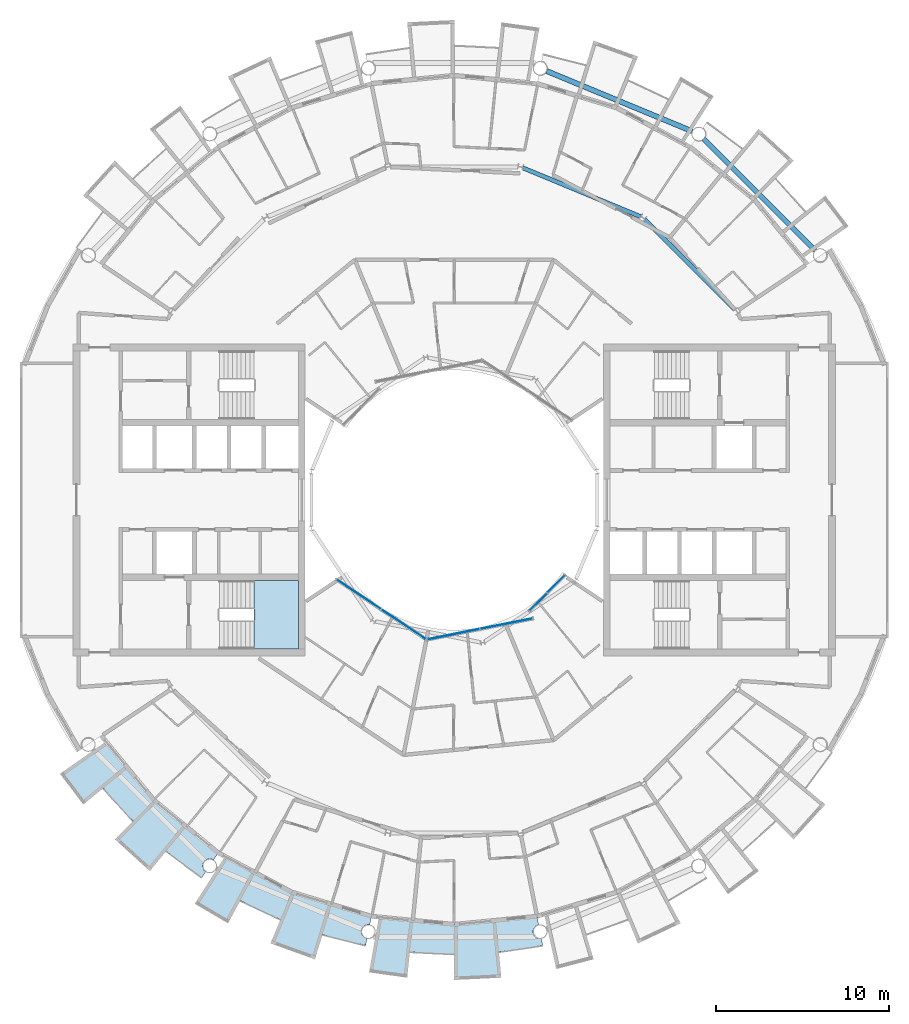
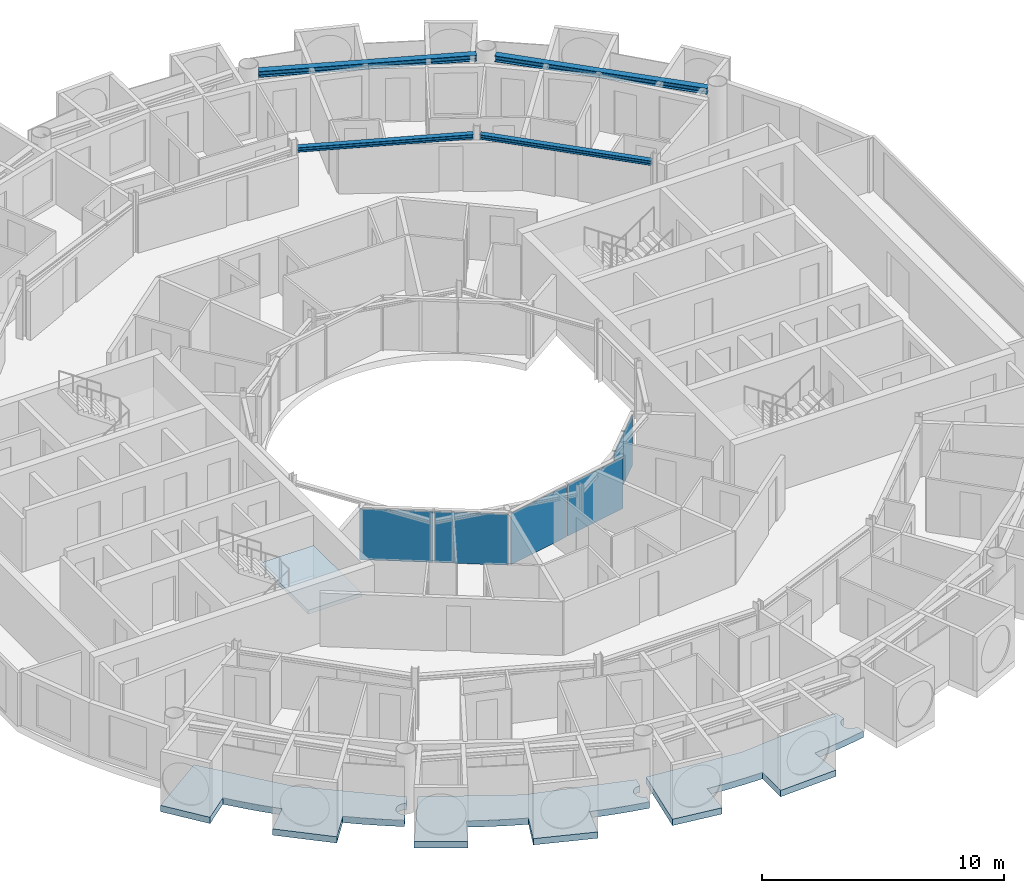
# One storey, part 10 of 27: 6 plates, 4 beams, 4 slabs, 4 elements without a shape of their own.
"""IFC4 building model written with IfcOpenShell, lengths in metres."""

from ifc_helpers import new_model, si_unit, direction, frame, origin, origin_2d, place, context, subcontext, project, spatial, polyline, rectangle, i_section, outline, extrude, material, layer, layer_set, material_profile, profile_set, type_object, element, aggregate, save


model = new_model("IFC4")

# Units and contexts
model_context = context("Model", 3, precision=1e-05, world=origin(), true_north=direction((0.0, 1.0)))
body_context = subcontext(model_context, "Body", "Model", "MODEL_VIEW")
ifc_project = project(units=[si_unit("LENGTHUNIT", "METRE"), si_unit("AREAUNIT", "SQUARE_METRE"), si_unit("VOLUMEUNIT", "CUBIC_METRE"), si_unit("PLANEANGLEUNIT", "RADIAN"), si_unit("MASSUNIT", "GRAM", prefix="KILO")], contexts=[model_context])

# Site, building, storey
site_placement = place(None, origin())
site = spatial("IfcSite", under=ifc_project, at=site_placement, CompositionType="ELEMENT")
building_placement = place(site_placement, origin())
building = spatial("IfcBuilding", under=site, at=building_placement, Name="Maasbend Ring Residences", CompositionType="ELEMENT")
storey_placement = place(building_placement, frame((0.0, 0.0, 240.14990234375)))
storey = spatial("IfcBuildingStorey", under=building, at=storey_placement, Name="L69", CompositionType="ELEMENT", Elevation=240.14990234375)

# Beams
ifc_material_1 = material(Name="Steel S355J2", Category="steel")
ifc_material_profile_1 = material_profile(ifc_material_1, i_section(OverallWidth=0.239990234375, OverallDepth=0.22998046875, WebThickness=0.007568359375, FlangeThickness=0.011962890625, FilletRadius=0.02099609375, at=origin_2d()), Name="HEA 240")
ifc_profile_set_1 = profile_set([ifc_material_profile_1], Name="Steel S355J2")
beam_type_1 = type_object("IfcBeamType", Name="Corridor ring beam HEA 240", PredefinedType="BEAM", material=ifc_profile_set_1)
beam_1_placement = place(storey_placement, frame((16.188720703125, 10.997314453125, 2.585205078125), z_axis=(-0.707106781187, 0.707106781187, 0.0), x_axis=(-0.707106781187, -0.707106781187, 0.0)))
element("IfcBeam", 1, at=beam_1_placement, inside=storey, type_object=beam_type_1, Name="Corridor ring beam", PredefinedType="BEAM", context=body_context, shape_type="SweptSolid", body=[
    extrude(i_section(OverallWidth=0.239990234375, OverallDepth=0.22998046875, WebThickness=0.007568359375, FlangeThickness=0.011962890625, FilletRadius=0.02099609375, at=origin_2d()), origin(), (0.0, 0.0, 1.0), 7.341796875),
])
beam_2_placement = place(storey_placement, frame((10.747802734375, 16.355224609375, 2.585205078125), z_axis=(-0.923875784142, 0.382692481603, 0.0), x_axis=(-0.382692481603, -0.923875784142, 0.0)))
element("IfcBeam", 2, at=beam_2_placement, inside=storey, type_object=beam_type_1, Name="Corridor ring beam", PredefinedType="BEAM", context=body_context, shape_type="SweptSolid", body=[
    extrude(i_section(OverallWidth=0.239990234375, OverallDepth=0.22998046875, WebThickness=0.007568359375, FlangeThickness=0.011962890625, FilletRadius=0.02099609375, at=origin_2d()), origin(), (0.0, 0.0, 1.0), 7.341552734375),
])
ifc_material_2 = material(Name="Steel S355J2", Category="steel")
ifc_material_profile_2 = material_profile(ifc_material_2, i_section(OverallWidth=0.300048828125, OverallDepth=0.300048828125, WebThickness=0.010986328125, FlangeThickness=0.01904296875, FilletRadius=0.027099609375, at=origin_2d()), Name="HEB 300")
ifc_profile_set_2 = profile_set([ifc_material_profile_2], Name="Steel S355J2")
beam_type_2 = type_object("IfcBeamType", Name="Spandrel ring beam HEB 300", PredefinedType="SPANDREL", material=ifc_profile_set_2)
for number, where, z_axis, x_axis, name in (
    (3, (20.831787109375, 14.39892578125, 2.550048828125), (-0.707106781187, 0.707106781187, 0.0), (-0.707106781187, -0.707106781187, 0.0), "Spandrel ring beam"),
    (4, (13.73583984375, 21.27490234375, 2.550048828125), (-0.923880768897, 0.382680447453, 0.0), (-0.382680447453, -0.923880768897, 0.0), "Spandrel ring beam"),
):
    element("IfcBeam", number, at=place(storey_placement, frame(where, z_axis=z_axis, x_axis=x_axis)), inside=storey, type_object=beam_type_2, Name=name, PredefinedType="SPANDREL", context=body_context, shape_type="SweptSolid", body=[
        extrude(i_section(OverallWidth=0.300048828125, OverallDepth=0.300048828125, WebThickness=0.010986328125, FlangeThickness=0.01904296875, FilletRadius=0.027099609375, at=origin_2d()), origin(), (0.0, 0.0, 1.0), 9.097412109375),
    ])

# Stair, slab
ifc_material_3 = material(Name="Concrete C40/50", Category="concrete")
stair_type = type_object("IfcStairType", Name="CORE STAIR 18 RISERS", PredefinedType="HALF_TURN_STAIR", material=ifc_material_3)
stair_placement = place(storey_placement, origin())
stair = element("IfcStair", 5, at=stair_placement, inside=storey, type_object=stair_type, Name="L69 Exit stair ST-W1", PredefinedType="HALF_TURN_STAIR")
ifc_material_4 = material(Name="Concrete C40/50", Category="concrete")
ifc_layer_1 = layer(ifc_material_4, 0.199951171875)
ifc_layer_set_1 = layer_set([ifc_layer_1], Name="Concrete C40/50")
slab_type_1 = type_object("IfcSlabType", Name="CORE STAIR LANDING 200", PredefinedType="LANDING", material=ifc_layer_set_1)
slab_1_placement = place(storey_placement, frame((0.0, 0.0, 1.3251953125)))
slab_1 = element("IfcSlab", 6, at=slab_1_placement, type_object=slab_type_1, Name="ST-W1 landing 1", PredefinedType="LANDING", context=body_context, shape_type="SweptSolid", body=[
    extrude(outline(polyline([(-11.550048828125, -8.60009765625), (-9.0, -8.60009765625), (-9.0, -4.64990234375), (-11.550048828125, -4.64990234375), (-11.550048828125, -8.60009765625)])), origin(), (0.0, 0.0, 1.0), 0.199951171875),
])
aggregate(stair, [slab_1])

# Curtain wall, plates
ifc_material_5 = material(Name="Aluminium and clear glass", Category="aluminium")
ifc_layer_2 = layer(ifc_material_5, 0.179931640625)
ifc_layer_set_2 = layer_set([ifc_layer_2], Name="CW-W")
curtain_wall_type = type_object("IfcCurtainWallType", Name="CW-W", PredefinedType="NOTDEFINED", material=ifc_layer_set_2)
curtain_wall_1_placement = place(storey_placement, origin())
curtain_wall_1 = element("IfcCurtainWall", 7, at=curtain_wall_1_placement, inside=storey, type_object=curtain_wall_type, Name="Well curtain wall S1", PredefinedType="NOTDEFINED")
ifc_material_6 = material(Name="Glass clear laminated", Category="glass")
ifc_layer_3 = layer(ifc_material_6, 0.031982421875)
ifc_layer_set_3 = layer_set([ifc_layer_3], Name="CWP-W")
plate_type = type_object("IfcPlateType", Name="CWP-W", PredefinedType="CURTAIN_PANEL", material=ifc_layer_set_3)
plate_1_placement = place(storey_placement, frame((-5.51123046875, -5.44580078125, 0.0), z_axis=(0.0, 0.0, 1.0), x_axis=(0.831469612303, -0.55557023302, 0.0)))
plate_1 = element("IfcPlate", 8, at=plate_1_placement, type_object=plate_type, Name="Glass panel well face", PredefinedType="CURTAIN_PANEL", context=body_context, shape_type="SweptSolid", body=[
    extrude(rectangle(XDim=3.053955078125, YDim=0.031982421875, at=origin_2d()), origin(), (0.0, 0.0, 1.0), 2.580078125),
])
plate_2_placement = place(storey_placement, frame((-2.922119140625, -7.17578125, 0.0), z_axis=(0.0, 0.0, 1.0), x_axis=(0.831469612303, -0.55557023302, 0.0)))
plate_2 = element("IfcPlate", 9, at=plate_2_placement, type_object=plate_type, Name="Glass panel well face", PredefinedType="CURTAIN_PANEL", context=body_context, shape_type="SweptSolid", body=[
    extrude(rectangle(XDim=3.053955078125, YDim=0.031982421875, at=origin_2d()), origin(), (0.0, 0.0, 1.0), 2.580078125),
])
aggregate(curtain_wall_1, [plate_1, plate_2])

curtain_wall_2_placement = place(storey_placement, origin())
curtain_wall_2 = element("IfcCurtainWall", 10, at=curtain_wall_2_placement, inside=storey, type_object=curtain_wall_type, Name="Well curtain wall S2", PredefinedType="NOTDEFINED")
plate_3_placement = place(storey_placement, frame((-0.04638671875, -7.747802734375, 0.0), z_axis=(0.0, 0.0, 1.0), x_axis=(0.980785280403, 0.195090322016, 0.0)))
plate_3 = element("IfcPlate", 11, at=plate_3_placement, type_object=plate_type, Name="Glass panel well face", PredefinedType="CURTAIN_PANEL", context=body_context, shape_type="SweptSolid", body=[
    extrude(rectangle(XDim=3.053955078125, YDim=0.031982421875, at=origin_2d()), origin(), (0.0, 0.0, 1.0), 2.580078125),
])
plate_4_placement = place(storey_placement, frame((3.0078125, -7.140380859375, 0.0), z_axis=(0.0, 0.0, 1.0), x_axis=(0.980785280403, 0.195090322016, 0.0)))
plate_4 = element("IfcPlate", 12, at=plate_4_placement, type_object=plate_type, Name="Glass panel well face", PredefinedType="CURTAIN_PANEL", context=body_context, shape_type="SweptSolid", body=[
    extrude(rectangle(XDim=3.053955078125, YDim=0.031982421875, at=origin_2d()), origin(), (0.0, 0.0, 1.0), 2.580078125),
])
aggregate(curtain_wall_2, [plate_3, plate_4])

curtain_wall_3_placement = place(storey_placement, origin())
curtain_wall_3 = element("IfcCurtainWall", 13, at=curtain_wall_3_placement, inside=storey, type_object=curtain_wall_type, Name="Well curtain wall S3", PredefinedType="NOTDEFINED")
plate_5_placement = place(storey_placement, frame((4.84375, -5.89013671875, 0.0), z_axis=(0.0, 0.0, 1.0), x_axis=(0.707106781187, 0.707106781187, 0.0)))
plate_5 = element("IfcPlate", 14, at=plate_5_placement, type_object=plate_type, Name="Glass panel well face", PredefinedType="CURTAIN_PANEL", context=body_context, shape_type="SweptSolid", body=[
    extrude(rectangle(XDim=1.419677734375, YDim=0.031982421875, at=origin_2d()), origin(), (0.0, 0.0, 1.0), 2.580078125),
])
plate_6_placement = place(storey_placement, frame((5.89013671875, -4.84375, 0.0), z_axis=(0.0, 0.0, 1.0), x_axis=(0.707106781187, 0.707106781187, 0.0)))
plate_6 = element("IfcPlate", 15, at=plate_6_placement, type_object=plate_type, Name="Glass panel well face", PredefinedType="CURTAIN_PANEL", context=body_context, shape_type="SweptSolid", body=[
    extrude(rectangle(XDim=1.419677734375, YDim=0.031982421875, at=origin_2d()), origin(), (0.0, 0.0, 1.0), 2.580078125),
])
aggregate(curtain_wall_3, [plate_5, plate_6])

# Slabs
ifc_material_7 = material(Name="Concrete C40/50", Category="concrete")
ifc_layer_4 = layer(ifc_material_7, 0.199951171875)
ifc_layer_set_4 = layer_set([ifc_layer_4], Name="Concrete C40/50")
slab_type_2 = type_object("IfcSlabType", Name="SL-LOGGIA", PredefinedType="FLOOR", material=ifc_layer_set_4)
slab_2_placement = place(storey_placement, frame((0.0, 0.0, -0.349853515625)))
element("IfcSlab", 16, at=slab_2_placement, inside=storey, type_object=slab_type_2, Name="Loggia floor 2", PredefinedType="FLOOR", context=body_context, shape_type="SweptSolid", body=[
    extrude(outline(polyline([(-2.389892578125, -24.264892578125), (0.0, -24.5), (0.0, -24.5), (0.0, -24.5), (2.389892578125, -24.264892578125), (4.780029296875, -24.029052734375), (4.780029296875, -24.029052734375), (4.780029296875, -24.029052734375), (4.8759765625, -24.512939453125), (4.865966796875, -24.514892578125), (4.85693359375, -24.51806640625), (4.846923828125, -24.52001953125), (4.8369140625, -24.52294921875), (4.827880859375, -24.52587890625), (4.818115234375, -24.529052734375), (4.80908203125, -24.532958984375), (4.800048828125, -24.535888671875), (4.791015625, -24.5400390625), (4.781005859375, -24.5439453125), (4.77294921875, -24.549072265625), (4.763916015625, -24.552978515625), (4.7548828125, -24.55810546875), (4.74609375, -24.56298828125), (4.738037109375, -24.568115234375), (4.72900390625, -24.573974609375), (4.720947265625, -24.580078125), (4.712890625, -24.5849609375), (4.705078125, -24.591064453125), (4.697021484375, -24.597900390625), (4.68994140625, -24.60400390625), (4.681884765625, -24.611083984375), (4.675048828125, -24.616943359375), (4.66796875, -24.6240234375), (4.660888671875, -24.632080078125), (4.654052734375, -24.638916015625), (4.64697265625, -24.64599609375), (4.64111328125, -24.654052734375), (4.635009765625, -24.662109375), (4.62890625, -24.669921875), (4.623046875, -24.677978515625), (4.616943359375, -24.68603515625), (4.612060546875, -24.694091796875), (4.60693359375, -24.702880859375), (4.60205078125, -24.7119140625), (4.596923828125, -24.719970703125), (4.592041015625, -24.72900390625), (4.587890625, -24.738037109375), (4.583984375, -24.7470703125), (4.580078125, -24.756103515625), (4.575927734375, -24.76611328125), (4.572998046875, -24.77490234375), (4.569091796875, -24.783935546875), (4.56591796875, -24.7939453125), (4.56396484375, -24.802978515625), (4.56103515625, -24.81298828125), (4.55908203125, -24.822998046875), (4.556884765625, -24.8330078125), (4.554931640625, -24.842041015625), (4.552978515625, -24.85205078125), (4.552001953125, -24.862060546875), (4.551025390625, -24.8720703125), (4.550048828125, -24.882080078125), (4.549072265625, -24.89208984375), (4.549072265625, -24.902099609375), (4.549072265625, -24.912109375), (4.549072265625, -24.922119140625), (4.549072265625, -24.931884765625), (4.550048828125, -24.94189453125), (4.551025390625, -24.951904296875), (4.552001953125, -24.9619140625), (4.552978515625, -24.971923828125), (4.554931640625, -24.98095703125), (4.556884765625, -24.990966796875), (4.55908203125, -25.0009765625), (4.56103515625, -25.010986328125), (4.56396484375, -25.02001953125), (4.56591796875, -25.030029296875), (4.569091796875, -25.0390625), (4.572998046875, -25.049072265625), (4.575927734375, -25.05810546875), (4.580078125, -25.06689453125), (4.583984375, -25.076904296875), (4.587890625, -25.0859375), (4.592041015625, -25.094970703125), (4.596923828125, -25.10400390625), (4.60205078125, -25.112060546875), (4.60693359375, -25.12109375), (4.612060546875, -25.12890625), (4.616943359375, -25.137939453125), (4.623046875, -25.14599609375), (4.62890625, -25.154052734375), (4.635009765625, -25.162109375), (4.64111328125, -25.169921875), (4.64697265625, -25.177001953125), (4.654052734375, -25.18505859375), (4.660888671875, -25.19189453125), (4.66796875, -25.198974609375), (4.675048828125, -25.2060546875), (4.681884765625, -25.212890625), (4.68994140625, -25.219970703125), (4.697021484375, -25.22607421875), (4.705078125, -25.23193359375), (4.712890625, -25.238037109375), (4.720947265625, -25.243896484375), (4.72900390625, -25.25), (4.738037109375, -25.2548828125), (4.74609375, -25.260986328125), (4.7548828125, -25.26611328125), (4.763916015625, -25.27001953125), (4.77294921875, -25.27490234375), (4.781005859375, -25.279052734375), (4.791015625, -25.283935546875), (4.800048828125, -25.287109375), (4.80908203125, -25.291015625), (4.818115234375, -25.294921875), (4.827880859375, -25.298095703125), (4.8369140625, -25.301025390625), (4.846923828125, -25.303955078125), (4.85693359375, -25.305908203125), (4.865966796875, -25.30908203125), (4.8759765625, -25.31103515625), (4.885986328125, -25.31201171875), (4.89599609375, -25.31396484375), (4.906005859375, -25.31494140625), (4.9150390625, -25.31591796875), (4.925048828125, -25.31689453125), (4.93505859375, -25.318115234375), (4.945068359375, -25.318115234375), (4.955078125, -25.318115234375), (4.965087890625, -25.318115234375), (4.97509765625, -25.318115234375), (4.985107421875, -25.31689453125), (4.9951171875, -25.31591796875), (5.0048828125, -25.31494140625), (5.014892578125, -25.31396484375), (5.02490234375, -25.31201171875), (5.034912109375, -25.31103515625), (5.111083984375, -25.697021484375), (5.111083984375, -25.697021484375), (5.111083984375, -25.697021484375), (4.26806640625, -25.85009765625), (4.26806640625, -25.85009765625), (3.419921875, -25.97607421875), (3.419921875, -25.97607421875), (2.569091796875, -26.073974609375), (2.568115234375, -26.073974609375), (2.568115234375, -26.073974609375), (2.568115234375, -26.073974609375), (2.568115234375, -26.073974609375), (2.568115234375, -26.073974609375), (2.568115234375, -26.073974609375), (2.568115234375, -26.073974609375), (2.568115234375, -26.073974609375), (2.568115234375, -26.073974609375), (2.568115234375, -26.073974609375), (2.568115234375, -26.073974609375), (2.568115234375, -26.073974609375), (2.568115234375, -26.073974609375), (2.568115234375, -26.073974609375), (2.568115234375, -26.073974609375), (2.568115234375, -26.073974609375), (2.715087890625, -27.56689453125), (2.715087890625, -27.56689453125), (2.715087890625, -27.56689453125), (0.0, -27.699951171875), (0.0, -27.699951171875), (0.0, -27.699951171875), (0.0, -26.199951171875), (0.0, -26.199951171875), (0.0, -26.199951171875), (0.0, -26.199951171875), (0.0, -26.199951171875), (0.0, -26.199951171875), (0.0, -26.199951171875), (0.0, -26.199951171875), (0.0, -26.199951171875), (0.0, -26.199951171875), (0.0, -26.199951171875), (0.0, -26.199951171875), (0.0, -26.199951171875), (0.0, -26.199951171875), (0.0, -26.199951171875), (0.0, -26.199951171875), (0.0, -26.199951171875), (-0.85693359375, -26.18603515625), (-0.85693359375, -26.18603515625), (-1.714111328125, -26.14404296875), (-1.714111328125, -26.14404296875), (-2.568115234375, -26.073974609375), (-2.568115234375, -26.073974609375), (-2.568115234375, -26.073974609375), (-2.568115234375, -26.073974609375), (-2.568115234375, -26.073974609375), (-2.568115234375, -26.073974609375), (-2.568115234375, -26.073974609375), (-2.568115234375, -26.073974609375), (-2.568115234375, -26.073974609375), (-2.568115234375, -26.073974609375), (-2.568115234375, -26.073974609375), (-2.568115234375, -26.073974609375), (-2.568115234375, -26.073974609375), (-2.568115234375, -26.073974609375), (-2.568115234375, -26.073974609375), (-2.568115234375, -26.073974609375), (-2.568115234375, -26.073974609375), (-2.715087890625, -27.56689453125), (-2.715087890625, -27.56689453125), (-2.715087890625, -27.56689453125), (-4.9150390625, -27.260009765625), (-4.9150390625, -27.260009765625), (-4.9150390625, -27.260009765625), (-4.340087890625, -24.072998046875), (-4.340087890625, -24.072998046875), (-4.340087890625, -24.072998046875), (-2.389892578125, -24.264892578125)])), origin(), (0.0, 0.0, 1.0), 0.320068359375),
])
slab_3_placement = place(storey_placement, frame((0.0, 0.0, -0.349853515625)))
element("IfcSlab", 17, at=slab_3_placement, inside=storey, type_object=slab_type_2, Name="Loggia floor 3", PredefinedType="FLOOR", context=body_context, shape_type="SweptSolid", body=[
    extrude(outline(polyline([(-11.493896484375, -21.5029296875), (-9.3759765625, -22.635009765625), (-9.3759765625, -22.635009765625), (-9.3759765625, -22.635009765625), (-7.077880859375, -23.33203125), (-4.780029296875, -24.029052734375), (-4.780029296875, -24.029052734375), (-4.780029296875, -24.029052734375), (-4.8759765625, -24.512939453125), (-4.8759765625, -24.512939453125), (-4.885986328125, -24.510986328125), (-4.89599609375, -24.510009765625), (-4.906005859375, -24.508056640625), (-4.9150390625, -24.507080078125), (-4.925048828125, -24.507080078125), (-4.93505859375, -24.506103515625), (-4.945068359375, -24.506103515625), (-4.955078125, -24.5048828125), (-4.965087890625, -24.506103515625), (-4.97509765625, -24.506103515625), (-4.985107421875, -24.507080078125), (-4.9951171875, -24.507080078125), (-5.0048828125, -24.508056640625), (-5.014892578125, -24.510009765625), (-5.02490234375, -24.510986328125), (-5.034912109375, -24.512939453125), (-5.0439453125, -24.514892578125), (-5.053955078125, -24.51806640625), (-5.06396484375, -24.52001953125), (-5.072998046875, -24.52294921875), (-5.0830078125, -24.52587890625), (-5.092041015625, -24.529052734375), (-5.10205078125, -24.532958984375), (-5.111083984375, -24.535888671875), (-5.1201171875, -24.5400390625), (-5.12890625, -24.5439453125), (-5.137939453125, -24.549072265625), (-5.14697265625, -24.552978515625), (-5.156005859375, -24.55810546875), (-5.1640625, -24.56298828125), (-5.173095703125, -24.568115234375), (-5.180908203125, -24.573974609375), (-5.18896484375, -24.580078125), (-5.197021484375, -24.5849609375), (-5.205078125, -24.591064453125), (-5.212890625, -24.597900390625), (-5.220947265625, -24.60400390625), (-5.22802734375, -24.611083984375), (-5.236083984375, -24.616943359375), (-5.242919921875, -24.6240234375), (-5.25, -24.632080078125), (-5.256103515625, -24.638916015625), (-5.262939453125, -24.64599609375), (-5.27001953125, -24.654052734375), (-5.27587890625, -24.662109375), (-5.281982421875, -24.669921875), (-5.2880859375, -24.677978515625), (-5.29296875, -24.68603515625), (-5.299072265625, -24.694091796875), (-5.303955078125, -24.702880859375), (-5.30908203125, -24.7119140625), (-5.31396484375, -24.719970703125), (-5.318115234375, -24.72900390625), (-5.322998046875, -24.738037109375), (-5.326904296875, -24.7470703125), (-5.3310546875, -24.756103515625), (-5.3349609375, -24.76611328125), (-5.337890625, -24.77490234375), (-5.341064453125, -24.783935546875), (-5.343994140625, -24.7939453125), (-5.346923828125, -24.802978515625), (-5.35009765625, -24.81298828125), (-5.35205078125, -24.822998046875), (-5.35400390625, -24.8330078125), (-5.35595703125, -24.842041015625), (-5.35693359375, -24.85205078125), (-5.35888671875, -24.862060546875), (-5.360107421875, -24.8720703125), (-5.361083984375, -24.882080078125), (-5.361083984375, -24.89208984375), (-5.362060546875, -24.902099609375), (-5.362060546875, -24.912109375), (-5.362060546875, -24.922119140625), (-5.361083984375, -24.931884765625), (-5.361083984375, -24.94189453125), (-5.360107421875, -24.951904296875), (-5.35888671875, -24.9619140625), (-5.35693359375, -24.971923828125), (-5.35595703125, -24.98095703125), (-5.35400390625, -24.990966796875), (-5.35205078125, -25.0009765625), (-5.35009765625, -25.010986328125), (-5.346923828125, -25.02001953125), (-5.343994140625, -25.030029296875), (-5.341064453125, -25.0390625), (-5.337890625, -25.049072265625), (-5.3349609375, -25.05810546875), (-5.3310546875, -25.06689453125), (-5.326904296875, -25.076904296875), (-5.322998046875, -25.0859375), (-5.318115234375, -25.094970703125), (-5.31396484375, -25.10400390625), (-5.30908203125, -25.112060546875), (-5.303955078125, -25.12109375), (-5.299072265625, -25.12890625), (-5.29296875, -25.137939453125), (-5.2880859375, -25.14599609375), (-5.281982421875, -25.154052734375), (-5.27587890625, -25.162109375), (-5.27001953125, -25.169921875), (-5.262939453125, -25.177001953125), (-5.256103515625, -25.18505859375), (-5.25, -25.19189453125), (-5.242919921875, -25.198974609375), (-5.236083984375, -25.2060546875), (-5.22802734375, -25.212890625), (-5.220947265625, -25.219970703125), (-5.212890625, -25.22607421875), (-5.205078125, -25.23193359375), (-5.197021484375, -25.238037109375), (-5.18896484375, -25.243896484375), (-5.180908203125, -25.25), (-5.173095703125, -25.2548828125), (-5.1640625, -25.260986328125), (-5.156005859375, -25.26611328125), (-5.14697265625, -25.27001953125), (-5.137939453125, -25.27490234375), (-5.12890625, -25.279052734375), (-5.1201171875, -25.283935546875), (-5.111083984375, -25.287109375), (-5.10205078125, -25.291015625), (-5.092041015625, -25.294921875), (-5.0830078125, -25.298095703125), (-5.072998046875, -25.301025390625), (-5.06396484375, -25.303955078125), (-5.053955078125, -25.305908203125), (-5.0439453125, -25.30908203125), (-5.034912109375, -25.31103515625), (-5.034912109375, -25.31103515625), (-5.111083984375, -25.697021484375), (-5.111083984375, -25.697021484375), (-5.111083984375, -25.697021484375), (-5.948974609375, -25.51611328125), (-5.948974609375, -25.51611328125), (-6.781005859375, -25.306884765625), (-6.781005859375, -25.306884765625), (-7.60498046875, -25.072021484375), (-7.60498046875, -25.072021484375), (-7.60498046875, -25.072021484375), (-7.60498046875, -25.072021484375), (-7.60498046875, -25.072021484375), (-7.60498046875, -25.072021484375), (-7.60498046875, -25.072021484375), (-7.60498046875, -25.072021484375), (-7.60498046875, -25.072021484375), (-7.60498046875, -25.072021484375), (-7.60498046875, -25.072021484375), (-7.60498046875, -25.072021484375), (-7.60595703125, -25.072021484375), (-7.60595703125, -25.072021484375), (-7.60595703125, -25.072021484375), (-7.60595703125, -25.072021484375), (-7.60595703125, -25.072021484375), (-8.041015625, -26.507080078125), (-8.041015625, -26.507080078125), (-8.041015625, -26.507080078125), (-10.60009765625, -25.591064453125), (-10.60009765625, -25.591064453125), (-10.60009765625, -25.591064453125), (-10.02587890625, -24.2060546875), (-10.02587890625, -24.2060546875), (-10.02587890625, -24.2060546875), (-10.02587890625, -24.2060546875), (-10.02587890625, -24.2060546875), (-10.02587890625, -24.2060546875), (-10.02587890625, -24.2060546875), (-10.02587890625, -24.2060546875), (-10.02587890625, -24.2060546875), (-10.027099609375, -24.2060546875), (-10.027099609375, -24.2060546875), (-10.027099609375, -24.2060546875), (-10.027099609375, -24.2060546875), (-10.027099609375, -24.2060546875), (-10.027099609375, -24.205078125), (-10.027099609375, -24.205078125), (-10.027099609375, -24.205078125), (-10.81298828125, -23.864990234375), (-10.81298828125, -23.864990234375), (-11.587890625, -23.498046875), (-11.587890625, -23.498046875), (-12.35009765625, -23.10693359375), (-12.35009765625, -23.10693359375), (-12.35009765625, -23.10693359375), (-12.35009765625, -23.10693359375), (-12.35009765625, -23.10693359375), (-12.35009765625, -23.10693359375), (-12.35009765625, -23.10693359375), (-12.35009765625, -23.10693359375), (-12.35107421875, -23.10693359375), (-12.35107421875, -23.10693359375), (-12.35107421875, -23.10693359375), (-12.35107421875, -23.10693359375), (-12.35107421875, -23.10693359375), (-12.35107421875, -23.10693359375), (-12.35107421875, -23.10693359375), (-12.35107421875, -23.10693359375), (-12.35107421875, -23.10693359375), (-13.05810546875, -24.428955078125), (-13.05810546875, -24.428955078125), (-13.05810546875, -24.428955078125), (-14.972900390625, -23.303955078125), (-14.972900390625, -23.303955078125), (-14.972900390625, -23.303955078125), (-13.221923828125, -20.5791015625), (-13.221923828125, -20.5791015625), (-13.221923828125, -20.5791015625), (-11.493896484375, -21.5029296875)])), origin(), (0.0, 0.0, 1.0), 0.320068359375),
])
slab_4_placement = place(storey_placement, frame((0.0, 0.0, -0.349853515625)))
element("IfcSlab", 18, at=slab_4_placement, inside=storey, type_object=slab_type_2, Name="Loggia floor 5", PredefinedType="FLOOR", context=body_context, shape_type="SweptSolid", body=[
    extrude(outline(polyline([(-18.847900390625, -15.468017578125), (-17.323974609375, -17.323974609375), (-17.323974609375, -17.323974609375), (-17.323974609375, -17.323974609375), (-15.468017578125, -18.847900390625), (-13.611083984375, -20.37109375), (-13.885986328125, -20.781005859375), (-13.89404296875, -20.77587890625), (-13.903076171875, -20.77099609375), (-13.910888671875, -20.76611328125), (-13.919921875, -20.760986328125), (-13.928955078125, -20.756103515625), (-13.93798828125, -20.751953125), (-13.947021484375, -20.748046875), (-13.9560546875, -20.743896484375), (-13.965087890625, -20.739990234375), (-13.97509765625, -20.737060546875), (-13.98388671875, -20.73291015625), (-13.992919921875, -20.72998046875), (-14.0029296875, -20.72802734375), (-14.012939453125, -20.72509765625), (-14.02197265625, -20.722900390625), (-14.031982421875, -20.720947265625), (-14.0419921875, -20.718994140625), (-14.052001953125, -20.717041015625), (-14.06201171875, -20.716064453125), (-14.072021484375, -20.715087890625), (-14.08203125, -20.714111328125), (-14.092041015625, -20.712890625), (-14.10205078125, -20.712890625), (-14.111083984375, -20.712890625), (-14.12109375, -20.712890625), (-14.131103515625, -20.712890625), (-14.14111328125, -20.714111328125), (-14.15087890625, -20.715087890625), (-14.160888671875, -20.716064453125), (-14.1708984375, -20.717041015625), (-14.180908203125, -20.718994140625), (-14.19091796875, -20.720947265625), (-14.200927734375, -20.722900390625), (-14.2099609375, -20.72509765625), (-14.219970703125, -20.72802734375), (-14.22998046875, -20.72998046875), (-14.239013671875, -20.73291015625), (-14.248046875, -20.737060546875), (-14.258056640625, -20.739990234375), (-14.26708984375, -20.743896484375), (-14.27587890625, -20.748046875), (-14.284912109375, -20.751953125), (-14.2939453125, -20.756103515625), (-14.302978515625, -20.760986328125), (-14.31201171875, -20.76611328125), (-14.320068359375, -20.77099609375), (-14.3291015625, -20.77587890625), (-14.3369140625, -20.781005859375), (-14.345947265625, -20.787109375), (-14.35400390625, -20.79296875), (-14.362060546875, -20.799072265625), (-14.368896484375, -20.804931640625), (-14.376953125, -20.81103515625), (-14.384033203125, -20.818115234375), (-14.39208984375, -20.824951171875), (-14.39892578125, -20.83203125), (-14.406005859375, -20.839111328125), (-14.4130859375, -20.845947265625), (-14.4189453125, -20.85400390625), (-14.426025390625, -20.861083984375), (-14.431884765625, -20.868896484375), (-14.43798828125, -20.876953125), (-14.444091796875, -20.885009765625), (-14.448974609375, -20.89306640625), (-14.455078125, -20.902099609375), (-14.4599609375, -20.909912109375), (-14.465087890625, -20.9189453125), (-14.469970703125, -20.927978515625), (-14.47509765625, -20.93701171875), (-14.47900390625, -20.945068359375), (-14.48291015625, -20.955078125), (-14.487060546875, -20.964111328125), (-14.490966796875, -20.972900390625), (-14.493896484375, -20.98193359375), (-14.4970703125, -20.991943359375), (-14.5, -21.0009765625), (-14.5029296875, -21.010986328125), (-14.506103515625, -21.02099609375), (-14.508056640625, -21.030029296875), (-14.510009765625, -21.0400390625), (-14.511962890625, -21.050048828125), (-14.513916015625, -21.06005859375), (-14.514892578125, -21.070068359375), (-14.51611328125, -21.0791015625), (-14.51708984375, -21.089111328125), (-14.51806640625, -21.09912109375), (-14.51806640625, -21.10888671875), (-14.51806640625, -21.118896484375), (-14.51806640625, -21.12890625), (-14.51806640625, -21.138916015625), (-14.51708984375, -21.14892578125), (-14.51611328125, -21.158935546875), (-14.514892578125, -21.1689453125), (-14.513916015625, -21.178955078125), (-14.511962890625, -21.18896484375), (-14.510009765625, -21.198974609375), (-14.508056640625, -21.2080078125), (-14.506103515625, -21.218017578125), (-14.5029296875, -21.22802734375), (-14.5, -21.237060546875), (-14.4970703125, -21.2470703125), (-14.493896484375, -21.256103515625), (-14.490966796875, -21.26611328125), (-14.487060546875, -21.27490234375), (-14.48291015625, -21.283935546875), (-14.47900390625, -21.29296875), (-14.47509765625, -21.302001953125), (-14.469970703125, -21.31103515625), (-14.465087890625, -21.320068359375), (-14.4599609375, -21.327880859375), (-14.455078125, -21.3369140625), (-14.448974609375, -21.344970703125), (-14.444091796875, -21.35302734375), (-14.43798828125, -21.361083984375), (-14.431884765625, -21.368896484375), (-14.426025390625, -21.376953125), (-14.4189453125, -21.385009765625), (-14.4130859375, -21.39208984375), (-14.406005859375, -21.39990234375), (-14.39892578125, -21.406982421875), (-14.39208984375, -21.4140625), (-14.384033203125, -21.419921875), (-14.376953125, -21.427001953125), (-14.368896484375, -21.43408203125), (-14.362060546875, -21.43994140625), (-14.35400390625, -21.446044921875), (-14.345947265625, -21.451904296875), (-14.3369140625, -21.45703125), (-14.555908203125, -21.783935546875), (-15.260986328125, -21.297119140625), (-15.949951171875, -20.785888671875), (-16.62109375, -20.2529296875), (-16.62109375, -20.2529296875), (-16.62109375, -20.2529296875), (-16.62109375, -20.2529296875), (-16.62109375, -20.2529296875), (-16.62109375, -20.2529296875), (-16.62109375, -20.2529296875), (-16.62109375, -20.2529296875), (-16.62109375, -20.2529296875), (-16.62109375, -20.2529296875), (-16.62109375, -20.2529296875), (-16.62109375, -20.2529296875), (-16.62109375, -20.2529296875), (-16.62109375, -20.2529296875), (-16.62109375, -20.2529296875), (-16.62109375, -20.2529296875), (-16.62109375, -20.2529296875), (-17.572998046875, -21.412109375), (-19.5869140625, -19.5869140625), (-18.527099609375, -18.527099609375), (-18.527099609375, -18.527099609375), (-18.52587890625, -18.52587890625), (-18.52587890625, -18.52587890625), (-18.52587890625, -18.52587890625), (-18.52587890625, -18.52587890625), (-18.52587890625, -18.52587890625), (-18.52587890625, -18.52587890625), (-18.52587890625, -18.52587890625), (-18.52587890625, -18.52587890625), (-18.52587890625, -18.52587890625), (-18.52587890625, -18.52587890625), (-18.52587890625, -18.52587890625), (-18.52587890625, -18.52587890625), (-18.52587890625, -18.52587890625), (-18.527099609375, -18.52587890625), (-18.527099609375, -18.52587890625), (-19.1220703125, -17.909912109375), (-19.697998046875, -17.27490234375), (-20.2529296875, -16.62109375), (-20.2529296875, -16.62109375), (-20.2529296875, -16.62109375), (-20.2529296875, -16.62109375), (-20.2529296875, -16.62109375), (-20.2529296875, -16.62109375), (-20.2529296875, -16.62109375), (-20.2529296875, -16.62109375), (-20.2529296875, -16.62109375), (-20.2529296875, -16.62109375), (-20.2529296875, -16.62109375), (-20.2529296875, -16.62109375), (-20.2529296875, -16.62109375), (-20.2529296875, -16.62109375), (-20.2529296875, -16.62109375), (-20.2529296875, -16.62109375), (-20.2529296875, -16.62109375), (-21.412109375, -17.572998046875), (-22.751953125, -15.800048828125), (-20.091064453125, -13.952880859375), (-18.847900390625, -15.468017578125)])), origin(), (0.0, 0.0, 1.0), 0.320068359375),
])

save(model, "model.ifc")
